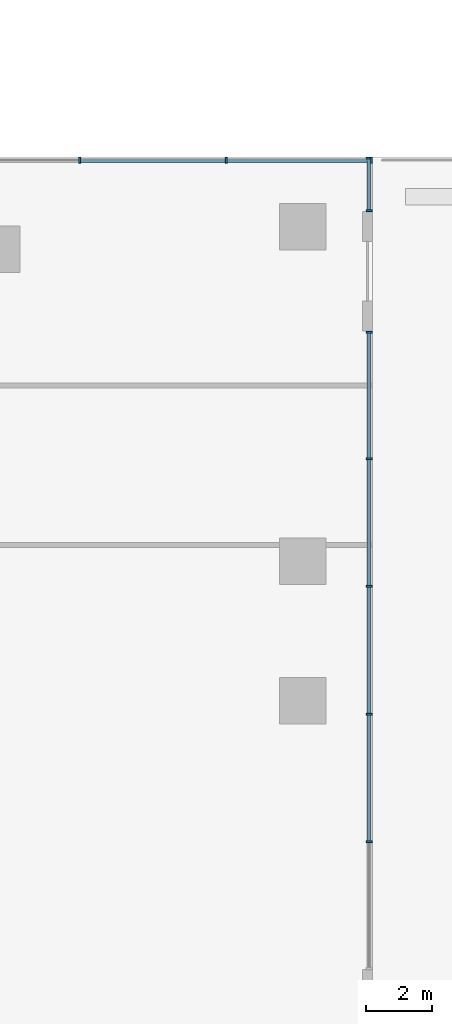
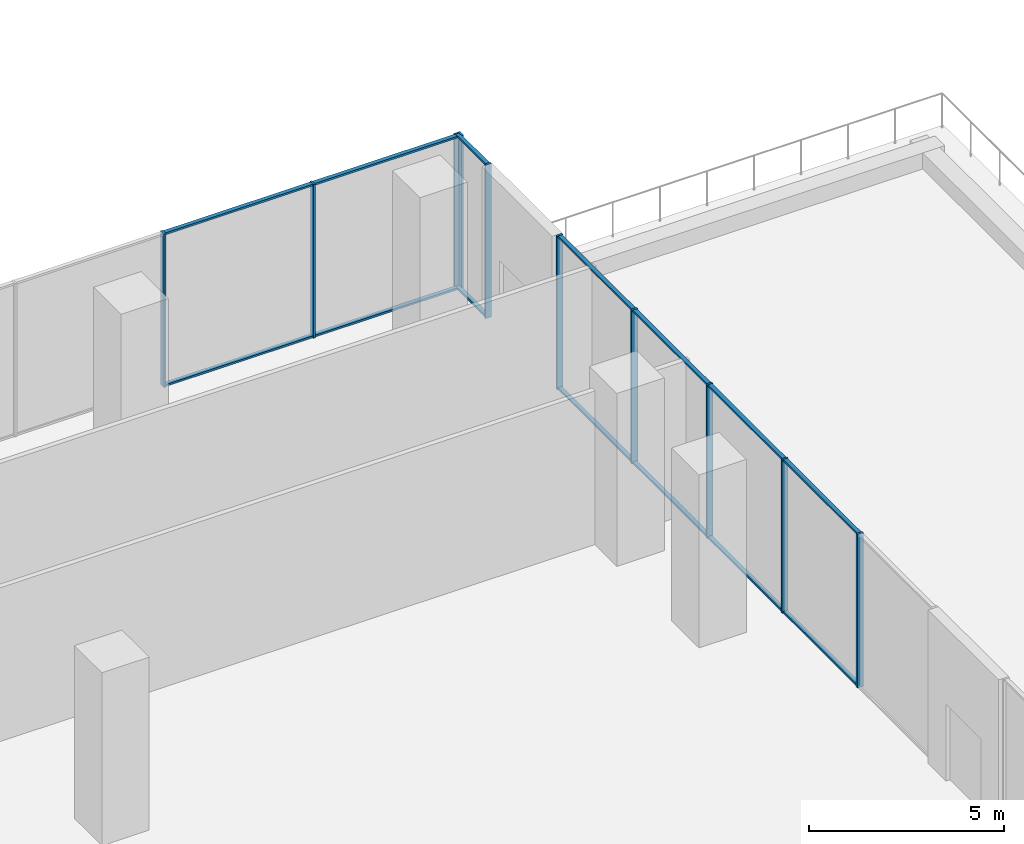
# One storey, part 9 of 23: 24 members, 3 elements without a shape of their own.
"""IFC4 building model written with IfcOpenShell, lengths in metres."""

import ifcopenshell
import ifcopenshell.guid

model = None  # the IFC model being written
_history = None  # IfcOwnerHistory: only IFC2X3 demands one
_inside = {}  # id of a spatial element -> (the spatial element, [elements in it])
_under = {}  # id of a project, library or spatial element -> (it, [spatial elements below it])
_declared = {}  # id of a project -> (the project, [libraries it declares])
_typed = {}  # id of a type object -> (the type object, [elements of that type])
_made_of = {}  # id of a material, layer set ... -> (it, [elements and type objects made of it])


def new_model(schema):
    """Start an empty IFC model of exactly this schema.

    Asked for "IFC4X3", IfcOpenShell would pick the latest addendum, in which some entities
    have other attributes; the version numbers below select the first issue.
    IFC2X3 requires an IfcOwnerHistory on every rooted entity: one is made here for all.
    """
    global model, _history
    if schema == "IFC4X3":
        model = ifcopenshell.file(schema_version=(4, 3, 0, 0))
    else:
        model = ifcopenshell.file(schema=schema)
    _inside.clear()
    _under.clear()
    _declared.clear()
    _typed.clear()
    _made_of.clear()
    _history = None
    if model.schema == "IFC2X3":
        org = make("IfcOrganization", Name="unknown")
        user = make(
            "IfcPersonAndOrganization",
            ThePerson=make("IfcPerson", FamilyName="unknown"),
            TheOrganization=org,
        )
        app = make(
            "IfcApplication",
            ApplicationDeveloper=org,
            Version="unknown",
            ApplicationFullName="unknown",
            ApplicationIdentifier="unknown",
        )
        _history = make(
            "IfcOwnerHistory",
            OwningUser=user,
            OwningApplication=app,
            ChangeAction="ADDED",
            CreationDate=0,
        )
    return model


def make(cls, **values):
    """One entity of the class cls with the attributes given. An attribute that is None is left unset."""
    return model.create_entity(
        cls, **{name: value for name, value in values.items() if value is not None}
    )


def rooted(cls, **values):
    """An entity with a GlobalId (a new one), such as an element, a storey or a relation."""
    return make(cls, GlobalId=ifcopenshell.guid.new(), OwnerHistory=_history, **values)


def si_unit(unit_type, name, prefix=None):
    """IfcSIUnit, for example si_unit("LENGTHUNIT", "METRE", prefix="MILLI")."""
    return make("IfcSIUnit", UnitType=unit_type, Prefix=prefix, Name=name)


def assignment(units):
    """IfcUnitAssignment: the units of a project."""
    return None if units is None else make("IfcUnitAssignment", Units=units)


def point(xyz):
    """IfcCartesianPoint."""
    return None if xyz is None else make("IfcCartesianPoint", Coordinates=xyz)


def direction(xyz):
    """IfcDirection."""
    return None if xyz is None else make("IfcDirection", DirectionRatios=xyz)


def frame(location, z_axis=None, x_axis=None):
    """IfcAxis2Placement3D, a coordinate frame: its origin and axes. An axis left out is left unset."""
    return make(
        "IfcAxis2Placement3D",
        Location=point(location),
        Axis=direction(z_axis),
        RefDirection=direction(x_axis),
    )


def frame_2d(location, x_axis=None):
    """IfcAxis2Placement2D, a coordinate frame in the plane: its origin and x axis."""
    return make(
        "IfcAxis2Placement2D", Location=point(location), RefDirection=direction(x_axis)
    )


def origin():
    """The frame at (0, 0, 0) with its axes left unset."""
    return frame((0.0, 0.0, 0.0))


def origin_2d():
    """The frame at (0, 0) in the plane with its x axis left unset."""
    return frame_2d((0.0, 0.0))


def place(relative_to, where):
    """IfcLocalPlacement: puts the frame where relative to a parent placement (None: the world)."""
    return make(
        "IfcLocalPlacement", PlacementRelTo=relative_to, RelativePlacement=where
    )


def context(
    kind, dimensions, precision=None, world=None, true_north=None, identifier=None
):
    """IfcGeometricRepresentationContext, for example the 3D "Model" context."""
    return make(
        "IfcGeometricRepresentationContext",
        ContextIdentifier=identifier,
        ContextType=kind,
        CoordinateSpaceDimension=dimensions,
        Precision=precision,
        WorldCoordinateSystem=world,
        TrueNorth=true_north,
    )


def subcontext(parent, identifier, kind, view, scale=None):
    """IfcGeometricRepresentationSubContext, for example "Body" below "Model"."""
    return make(
        "IfcGeometricRepresentationSubContext",
        ContextIdentifier=identifier,
        ContextType=kind,
        ParentContext=parent,
        TargetScale=scale,
        TargetView=view,
    )


def project(units=None, contexts=None):
    """IfcProject with its units and contexts."""
    return rooted(
        "IfcProject",
        Name="project",
        RepresentationContexts=contexts,
        UnitsInContext=assignment(units),
    )


def spatial(cls, under=None, at=None, **own):
    """A site, building, storey or space (cls), placed at a placement, below another one or the project."""
    s = rooted(cls, ObjectPlacement=at, **own)
    if under is not None:
        _under.setdefault(under.id(), (under, []))[1].append(s)
    return s


def profile(cls, at=None, kind="AREA", **sizes):
    """A parametric profile (cls). Its sizes go by their IFC names, for example OverallWidth=200.0."""
    return make(cls, ProfileType=kind, Position=at, **sizes)


def rectangle(**sizes):
    """IfcRectangleProfileDef."""
    return profile("IfcRectangleProfileDef", **sizes)


def extrude(swept, where, along, depth):
    """IfcExtrudedAreaSolid: the profile swept, set in the frame where, extruded along a direction by depth."""
    return make(
        "IfcExtrudedAreaSolid",
        SweptArea=swept,
        Position=where,
        ExtrudedDirection=direction(along),
        Depth=depth,
    )


def shape(context_of_items, identifier, shape_type, items):
    """IfcShapeRepresentation: the items that make up one representation, for example the "Body"."""
    return make(
        "IfcShapeRepresentation",
        ContextOfItems=context_of_items,
        RepresentationIdentifier=identifier,
        RepresentationType=shape_type,
        Items=items,
    )


def source(mapping_origin, context_of_items, identifier, shape_type, items):
    """IfcRepresentationMap: a shape defined once, which mapped items show again and again."""
    return make(
        "IfcRepresentationMap",
        MappingOrigin=mapping_origin,
        MappedRepresentation=shape(context_of_items, identifier, shape_type, items),
    )


def transform(
    local_origin,
    x_axis=None,
    y_axis=None,
    z_axis=None,
    scale=None,
    scale2=None,
    scale3=None,
    uniform=True,
):
    """IfcCartesianTransformationOperator3D, or its non-uniform kind. x_axis, y_axis, z_axis: its Axis1, 2, 3."""
    if uniform:
        return make(
            "IfcCartesianTransformationOperator3D",
            Axis1=direction(x_axis),
            Axis2=direction(y_axis),
            LocalOrigin=point(local_origin),
            Scale=scale,
            Axis3=direction(z_axis),
        )
    return make(
        "IfcCartesianTransformationOperator3DnonUniform",
        Axis1=direction(x_axis),
        Axis2=direction(y_axis),
        LocalOrigin=point(local_origin),
        Scale=scale,
        Axis3=direction(z_axis),
        Scale2=scale2,
        Scale3=scale3,
    )


def mapped(mapping_source, mapping_target):
    """IfcMappedItem: shows the shape of a source again, moved by a transform."""
    return make(
        "IfcMappedItem", MappingSource=mapping_source, MappingTarget=mapping_target
    )


def material(Name=None, Category=None):
    """IfcMaterial."""
    return make("IfcMaterial", Name=Name, Category=Category)


def layer(
    of_material, thickness, ventilated=None, Name=None, Category=None, Priority=None
):
    """IfcMaterialLayer: one layer of a wall or slab, of a material (None: an air gap)."""
    return make(
        "IfcMaterialLayer",
        Material=of_material,
        LayerThickness=thickness,
        IsVentilated=ventilated,
        Name=Name,
        Category=Category,
        Priority=Priority,
    )


def layer_set(layers, Name=None):
    """IfcMaterialLayerSet."""
    return make("IfcMaterialLayerSet", MaterialLayers=layers, LayerSetName=Name)


def material_profile(
    of_material, cross_section, Name=None, Category=None, Priority=None
):
    """IfcMaterialProfile: a cross section and its material."""
    return make(
        "IfcMaterialProfile",
        Name=Name,
        Material=of_material,
        Profile=cross_section,
        Priority=Priority,
        Category=Category,
    )


def profile_set(profiles, Name=None, composite=None):
    """IfcMaterialProfileSet."""
    return make(
        "IfcMaterialProfileSet",
        Name=Name,
        MaterialProfiles=profiles,
        CompositeProfile=composite,
    )


def made_of(thing, what):
    """Note that an element or type object is made of a material, layer set ...; save() writes the relation."""
    if what is not None:
        _made_of.setdefault(what.id(), (what, []))[1].append(thing)
    return thing


def type_object(cls, material=None, **own):
    """A type object (cls), such as IfcWallType, which elements share."""
    return made_of(rooted(cls, **own), material)


def element(
    cls,
    number,
    at=None,
    inside=None,
    cuts=None,
    type_object=None,
    material=None,
    context=None,
    identifier="Body",
    shape_type=None,
    held_by="IfcProductDefinitionShape",
    body=None,
    shapes=None,
    **own,
):
    """One element of the class cls, such as IfcWall. Its Tag is "e" and its number.

    at: its placement. inside: the storey or other place that contains it. cuts: it is an
    opening in that element (IfcRelVoidsElement). A single representation is given by context,
    identifier, shape_type and body (its items); several are given by shapes. held_by: the class
    of the entity that holds the representations. save() writes the other relations.
    """
    e = rooted(cls, Tag="e%d" % number, ObjectPlacement=at, **own)
    if body is not None:
        shapes = [shape(context, identifier, shape_type, body)]
    if shapes is not None:
        e.Representation = make(held_by, Representations=shapes)
    if inside is not None:
        _inside.setdefault(inside.id(), (inside, []))[1].append(e)
    if cuts is not None:
        rooted(
            "IfcRelVoidsElement", RelatingBuildingElement=cuts, RelatedOpeningElement=e
        )
    if type_object is not None:
        _typed.setdefault(type_object.id(), (type_object, []))[1].append(e)
    return made_of(e, material)


def aggregate(whole, parts):
    """IfcRelAggregates: a whole, such as a stair, and the parts it consists of."""
    return rooted("IfcRelAggregates", RelatingObject=whole, RelatedObjects=parts)


def save(model, path):
    """Write the relations noted so far, then the file.

    IfcRelAggregates (storeys below a building ...), IfcRelContainedInSpatialStructure (elements
    in a storey), IfcRelDefinesByType, IfcRelAssociatesMaterial and IfcRelDeclares: one each for
    every whole, place, type object, material and project.
    """
    for whole, parts in _under.values():
        aggregate(whole, parts)
    for where, things in _inside.values():
        rooted(
            "IfcRelContainedInSpatialStructure",
            RelatedElements=things,
            RelatingStructure=where,
        )
    for kind, things in _typed.values():
        rooted("IfcRelDefinesByType", RelatedObjects=things, RelatingType=kind)
    for what, things in _made_of.values():
        rooted("IfcRelAssociatesMaterial", RelatedObjects=things, RelatingMaterial=what)
    for by, libraries in _declared.values():
        rooted("IfcRelDeclares", RelatingContext=by, RelatedDefinitions=libraries)
    model.write(path)


model = new_model("IFC4")

# Units and contexts
model_context = context("Model", 3, precision=1e-05, world=origin(), true_north=direction((0.0, 1.0)))
body_context = subcontext(model_context, "Body", "Model", "MODEL_VIEW")
ifc_project = project(units=[si_unit("LENGTHUNIT", "METRE"), si_unit("AREAUNIT", "SQUARE_METRE"), si_unit("VOLUMEUNIT", "CUBIC_METRE"), si_unit("PLANEANGLEUNIT", "RADIAN"), si_unit("MASSUNIT", "GRAM", prefix="KILO")], contexts=[model_context])

# Site, building, storey
site_placement = place(None, origin())
site = spatial("IfcSite", under=ifc_project, at=site_placement, CompositionType="ELEMENT")
building_placement = place(site_placement, origin())
building = spatial("IfcBuilding", under=site, at=building_placement, Name="Aurelian Terraces", CompositionType="ELEMENT")
storey_placement = place(building_placement, frame((0.0, 0.0, 18.3)))
storey = spatial("IfcBuildingStorey", under=building, at=storey_placement, Name="L03", CompositionType="ELEMENT", Elevation=18.3)

# Curtain wall, members
ifc_material_1 = material(Name="Anodised aluminium and clear glazing", Category="aluminium")
ifc_layer = layer(ifc_material_1, 0.2)
ifc_layer_set = layer_set([ifc_layer], Name="Winter garden glazing curtain wall")
curtain_wall_type = type_object("IfcCurtainWallType", Name="Winter garden glazing curtain wall", PredefinedType="NOTDEFINED", material=ifc_layer_set)
curtain_wall_1_placement = place(storey_placement, origin())
curtain_wall_1 = element("IfcCurtainWall", 1, at=curtain_wall_1_placement, inside=storey, type_object=curtain_wall_type, Name="Winter garden glazing L03 F02.5", PredefinedType="NOTDEFINED")
ifc_material_2 = material(Name="Anodised aluminium", Category="aluminium")
ifc_material_profile_1 = material_profile(ifc_material_2, rectangle(XDim=0.18, YDim=0.06, at=origin_2d()))
ifc_profile_set_1 = profile_set([ifc_material_profile_1], Name="Anodised aluminium")
member_type_1 = type_object("IfcMemberType", Name="Winter garden glazing mullion", PredefinedType="MULLION", material=ifc_profile_set_1)
shared_shape_1 = source(origin(), body_context, "Body", "SweptSolid", [
    extrude(rectangle(XDim=0.18, YDim=0.06, at=origin_2d()), origin(), (0.0, 0.0, 1.0), 4.8),
])
member_1_placement = place(storey_placement, frame((71.72, 33.548, 0.0), z_axis=(0.0, 0.0, 1.0), x_axis=(-1.0, 0.0, 0.0)))
member_1 = element("IfcMember", 2, at=member_1_placement, type_object=member_type_1, Name="CW6 mullion 2", PredefinedType="MULLION", context=body_context, shape_type="MappedRepresentation", body=[
    mapped(shared_shape_1, transform((0.0, 0.0, 0.0), scale=1.0)),
])
member_2_placement = place(storey_placement, frame((71.72, 37.396, 0.0), z_axis=(0.0, 0.0, 1.0), x_axis=(-1.0, 0.0, 0.0)))
member_2 = element("IfcMember", 3, at=member_2_placement, type_object=member_type_1, Name="CW6 mullion 3", PredefinedType="MULLION", context=body_context, shape_type="MappedRepresentation", body=[
    mapped(shared_shape_1, transform((0.0, 0.0, 0.0), scale=1.0)),
])
member_3_placement = place(storey_placement, frame((71.72, 41.244, 0.0), z_axis=(0.0, 0.0, 1.0), x_axis=(-1.0, 0.0, 0.0)))
member_3 = element("IfcMember", 4, at=member_3_placement, type_object=member_type_1, Name="CW6 mullion 4", PredefinedType="MULLION", context=body_context, shape_type="MappedRepresentation", body=[
    mapped(shared_shape_1, transform((0.0, 0.0, 0.0), scale=1.0)),
])
member_4_placement = place(storey_placement, frame((71.72, 45.092, 0.0), z_axis=(0.0, 0.0, 1.0), x_axis=(-1.0, 0.0, 0.0)))
member_4 = element("IfcMember", 5, at=member_4_placement, type_object=member_type_1, Name="CW6 mullion 5", PredefinedType="MULLION", context=body_context, shape_type="MappedRepresentation", body=[
    mapped(shared_shape_1, transform((0.0, 0.0, 0.0), scale=1.0)),
])
member_5_placement = place(storey_placement, frame((71.72, 48.91, 0.0), z_axis=(0.0, 0.0, 1.0), x_axis=(-1.0, 0.0, 0.0)))
member_5 = element("IfcMember", 6, at=member_5_placement, type_object=member_type_1, Name="CW6 mullion 6", PredefinedType="MULLION", context=body_context, shape_type="MappedRepresentation", body=[
    mapped(shared_shape_1, transform((0.0, 0.0, 0.0), scale=1.0)),
])

curtain_wall_2_placement = place(storey_placement, origin())
curtain_wall_2 = element("IfcCurtainWall", 7, at=curtain_wall_2_placement, inside=storey, type_object=curtain_wall_type, Name="Winter garden glazing L03 F02.7", PredefinedType="NOTDEFINED")
member_6_placement = place(storey_placement, frame((71.72, 52.57, 0.0), z_axis=(0.0, 0.0, 1.0), x_axis=(-1.0, 0.0, 0.0)))
member_6 = element("IfcMember", 8, at=member_6_placement, type_object=member_type_1, Name="CW6 mullion 1", PredefinedType="MULLION", context=body_context, shape_type="MappedRepresentation", body=[
    mapped(shared_shape_1, transform((0.0, 0.0, 0.0), scale=1.0)),
])
member_7_placement = place(storey_placement, frame((71.72, 54.15, 0.0), z_axis=(0.0, 0.0, 1.0), x_axis=(-1.0, 0.0, 0.0)))
member_7 = element("IfcMember", 9, at=member_7_placement, type_object=member_type_1, Name="CW6 mullion 2", PredefinedType="MULLION", context=body_context, shape_type="MappedRepresentation", body=[
    mapped(shared_shape_1, transform((0.0, 0.0, 0.0), scale=1.0)),
])

curtain_wall_3_placement = place(storey_placement, origin())
curtain_wall_3 = element("IfcCurtainWall", 10, at=curtain_wall_3_placement, inside=storey, type_object=curtain_wall_type, Name="Winter garden glazing L03 F03.1", PredefinedType="NOTDEFINED")
member_8_placement = place(storey_placement, frame((71.79, 54.08, 0.0), z_axis=(0.0, 0.0, 1.0), x_axis=(0.0, -1.0, 0.0)))
member_8 = element("IfcMember", 11, at=member_8_placement, type_object=member_type_1, Name="CW6 mullion 1", PredefinedType="MULLION", context=body_context, shape_type="MappedRepresentation", body=[
    mapped(shared_shape_1, transform((0.0, 0.0, 0.0), scale=1.0)),
])
member_9_placement = place(storey_placement, frame((67.41, 54.08, 0.0), z_axis=(0.0, 0.0, 1.0), x_axis=(0.0, -1.0, 0.0)))
member_9 = element("IfcMember", 12, at=member_9_placement, type_object=member_type_1, Name="CW6 mullion 2", PredefinedType="MULLION", context=body_context, shape_type="MappedRepresentation", body=[
    mapped(shared_shape_1, transform((0.0, 0.0, 0.0), scale=1.0)),
])
member_10_placement = place(storey_placement, frame((63.0, 54.08, 0.0), z_axis=(0.0, 0.0, 1.0), x_axis=(0.0, -1.0, 0.0)))
member_10 = element("IfcMember", 13, at=member_10_placement, type_object=member_type_1, Name="CW6 mullion 3", PredefinedType="MULLION", context=body_context, shape_type="MappedRepresentation", body=[
    mapped(shared_shape_1, transform((0.0, 0.0, 0.0), scale=1.0)),
])
ifc_material_profile_2 = material_profile(ifc_material_2, rectangle(XDim=0.12, YDim=0.06, at=origin_2d()))
ifc_profile_set_2 = profile_set([ifc_material_profile_2], Name="Anodised aluminium")
member_type_2 = type_object("IfcMemberType", Name="Winter garden glazing transom", PredefinedType="USERDEFINED", material=ifc_profile_set_2)
shared_shape_2 = source(origin(), body_context, "Body", "SweptSolid", [
    extrude(rectangle(XDim=0.12, YDim=0.06, at=origin_2d()), origin(), (0.0, 0.0, 1.0), 4.32),
])
member_11_placement = place(storey_placement, frame((71.76, 54.08, 0.03), z_axis=(-1.0, 0.0, 0.0), x_axis=(0.0, -1.0, 0.0)))
member_11 = element("IfcMember", 14, at=member_11_placement, type_object=member_type_2, Name="CW6 transom 1.1", ObjectType="TRANSOM", PredefinedType="USERDEFINED", context=body_context, shape_type="MappedRepresentation", body=[
    mapped(shared_shape_2, transform((0.0, 0.0, 0.0), scale=1.0)),
])
member_12_placement = place(storey_placement, frame((71.76, 54.08, 4.77), z_axis=(-1.0, 0.0, 0.0), x_axis=(0.0, -1.0, 0.0)))
member_12 = element("IfcMember", 15, at=member_12_placement, type_object=member_type_2, Name="CW6 transom 1.2", ObjectType="TRANSOM", PredefinedType="USERDEFINED", context=body_context, shape_type="MappedRepresentation", body=[
    mapped(shared_shape_2, transform((0.0, 0.0, 0.0), scale=1.0)),
])
shared_shape_3 = source(origin(), body_context, "Body", "SweptSolid", [
    extrude(rectangle(XDim=0.12, YDim=0.06, at=origin_2d()), origin(), (0.0, 0.0, 1.0), 4.35),
])
member_13_placement = place(storey_placement, frame((67.38, 54.08, 0.03), z_axis=(-1.0, 0.0, 0.0), x_axis=(0.0, -1.0, 0.0)))
member_13 = element("IfcMember", 16, at=member_13_placement, type_object=member_type_2, Name="CW6 transom 2.1", ObjectType="TRANSOM", PredefinedType="USERDEFINED", context=body_context, shape_type="MappedRepresentation", body=[
    mapped(shared_shape_3, transform((0.0, 0.0, 0.0), scale=1.0)),
])
member_14_placement = place(storey_placement, frame((67.38, 54.08, 4.77), z_axis=(-1.0, 0.0, 0.0), x_axis=(0.0, -1.0, 0.0)))
member_14 = element("IfcMember", 17, at=member_14_placement, type_object=member_type_2, Name="CW6 transom 2.2", ObjectType="TRANSOM", PredefinedType="USERDEFINED", context=body_context, shape_type="MappedRepresentation", body=[
    mapped(shared_shape_3, transform((0.0, 0.0, 0.0), scale=1.0)),
])
aggregate(curtain_wall_3, [member_8, member_9, member_10, member_11, member_12, member_13, member_14])

# Member
shared_shape_4 = source(origin(), body_context, "Body", "SweptSolid", [
    extrude(rectangle(XDim=0.12, YDim=0.06, at=origin_2d()), origin(), (0.0, 0.0, 1.0), 1.52),
])
member_15_placement = place(storey_placement, frame((71.72, 52.6, 0.03), z_axis=(0.0, 1.0, 0.0), x_axis=(-1.0, 0.0, 0.0)))
member_15 = element("IfcMember", 18, at=member_15_placement, type_object=member_type_2, Name="CW6 transom 1.1", ObjectType="TRANSOM", PredefinedType="USERDEFINED", context=body_context, shape_type="MappedRepresentation", body=[
    mapped(shared_shape_4, transform((0.0, 0.0, 0.0), scale=1.0)),
])

member_16_placement = place(storey_placement, frame((71.72, 52.6, 4.77), z_axis=(0.0, 1.0, 0.0), x_axis=(-1.0, 0.0, 0.0)))
member_16 = element("IfcMember", 19, at=member_16_placement, type_object=member_type_2, Name="CW6 transom 1.2", ObjectType="TRANSOM", PredefinedType="USERDEFINED", context=body_context, shape_type="MappedRepresentation", body=[
    mapped(shared_shape_4, transform((0.0, 0.0, 0.0), scale=1.0)),
])

aggregate(curtain_wall_2, [member_6, member_7, member_15, member_16])

shared_shape_5 = source(origin(), body_context, "Body", "SweptSolid", [
    extrude(rectangle(XDim=0.12, YDim=0.06, at=origin_2d()), origin(), (0.0, 0.0, 1.0), 3.758),
])
member_17_placement = place(storey_placement, frame((71.72, 45.122, 0.03), z_axis=(0.0, 1.0, 0.0), x_axis=(-1.0, 0.0, 0.0)))
member_17 = element("IfcMember", 20, at=member_17_placement, type_object=member_type_2, Name="CW6 transom 5.1", ObjectType="TRANSOM", PredefinedType="USERDEFINED", context=body_context, shape_type="MappedRepresentation", body=[
    mapped(shared_shape_5, transform((0.0, 0.0, 0.0), scale=1.0)),
])

member_18_placement = place(storey_placement, frame((71.72, 45.122, 4.77), z_axis=(0.0, 1.0, 0.0), x_axis=(-1.0, 0.0, 0.0)))
member_18 = element("IfcMember", 21, at=member_18_placement, type_object=member_type_2, Name="CW6 transom 5.2", ObjectType="TRANSOM", PredefinedType="USERDEFINED", context=body_context, shape_type="MappedRepresentation", body=[
    mapped(shared_shape_5, transform((0.0, 0.0, 0.0), scale=1.0)),
])

shared_shape_6 = source(origin(), body_context, "Body", "SweptSolid", [
    extrude(rectangle(XDim=0.12, YDim=0.06, at=origin_2d()), origin(), (0.0, 0.0, 1.0), 3.788),
])
member_19_placement = place(storey_placement, frame((71.72, 33.578, 0.03), z_axis=(0.0, 1.0, 0.0), x_axis=(-1.0, 0.0, 0.0)))
member_19 = element("IfcMember", 22, at=member_19_placement, type_object=member_type_2, Name="CW6 transom 2.1", ObjectType="TRANSOM", PredefinedType="USERDEFINED", context=body_context, shape_type="MappedRepresentation", body=[
    mapped(shared_shape_6, transform((0.0, 0.0, 0.0), scale=1.0)),
])

member_20_placement = place(storey_placement, frame((71.72, 33.578, 4.77), z_axis=(0.0, 1.0, 0.0), x_axis=(-1.0, 0.0, 0.0)))
member_20 = element("IfcMember", 23, at=member_20_placement, type_object=member_type_2, Name="CW6 transom 2.2", ObjectType="TRANSOM", PredefinedType="USERDEFINED", context=body_context, shape_type="MappedRepresentation", body=[
    mapped(shared_shape_6, transform((0.0, 0.0, 0.0), scale=1.0)),
])

member_21_placement = place(storey_placement, frame((71.72, 37.426, 0.03), z_axis=(0.0, 1.0, 0.0), x_axis=(-1.0, 0.0, 0.0)))
member_21 = element("IfcMember", 24, at=member_21_placement, type_object=member_type_2, Name="CW6 transom 3.1", ObjectType="TRANSOM", PredefinedType="USERDEFINED", context=body_context, shape_type="MappedRepresentation", body=[
    mapped(shared_shape_6, transform((0.0, 0.0, 0.0), scale=1.0)),
])

member_22_placement = place(storey_placement, frame((71.72, 37.426, 4.77), z_axis=(0.0, 1.0, 0.0), x_axis=(-1.0, 0.0, 0.0)))
member_22 = element("IfcMember", 25, at=member_22_placement, type_object=member_type_2, Name="CW6 transom 3.2", ObjectType="TRANSOM", PredefinedType="USERDEFINED", context=body_context, shape_type="MappedRepresentation", body=[
    mapped(shared_shape_6, transform((0.0, 0.0, 0.0), scale=1.0)),
])

member_23_placement = place(storey_placement, frame((71.72, 41.274, 0.03), z_axis=(0.0, 1.0, 0.0), x_axis=(-1.0, 0.0, 0.0)))
member_23 = element("IfcMember", 26, at=member_23_placement, type_object=member_type_2, Name="CW6 transom 4.1", ObjectType="TRANSOM", PredefinedType="USERDEFINED", context=body_context, shape_type="MappedRepresentation", body=[
    mapped(shared_shape_6, transform((0.0, 0.0, 0.0), scale=1.0)),
])

member_24_placement = place(storey_placement, frame((71.72, 41.274, 4.77), z_axis=(0.0, 1.0, 0.0), x_axis=(-1.0, 0.0, 0.0)))
member_24 = element("IfcMember", 27, at=member_24_placement, type_object=member_type_2, Name="CW6 transom 4.2", ObjectType="TRANSOM", PredefinedType="USERDEFINED", context=body_context, shape_type="MappedRepresentation", body=[
    mapped(shared_shape_6, transform((0.0, 0.0, 0.0), scale=1.0)),
])

aggregate(curtain_wall_1, [member_1, member_2, member_3, member_4, member_5, member_19, member_20, member_21, member_22, member_23, member_24, member_17, member_18])

save(model, "model.ifc")
